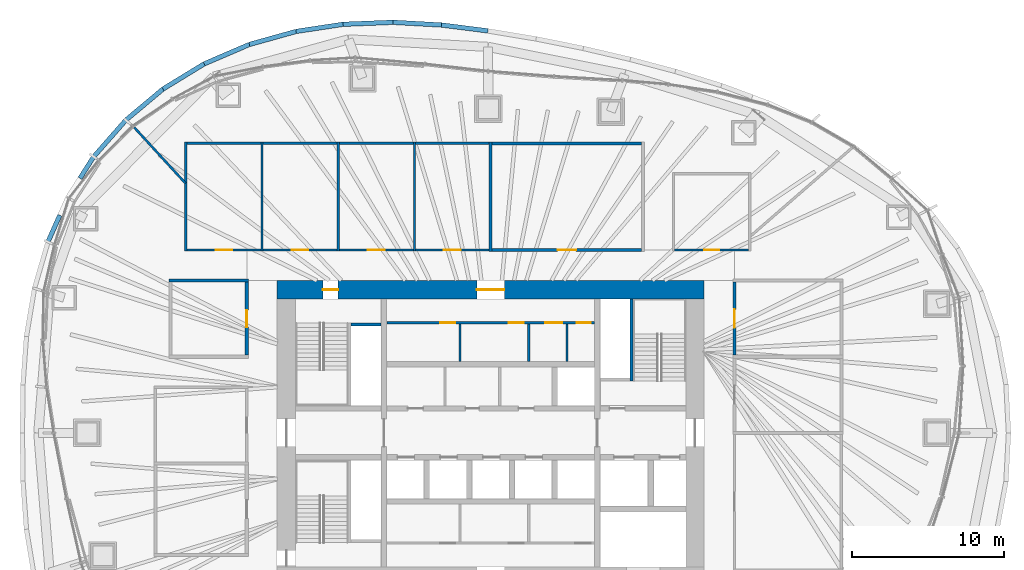
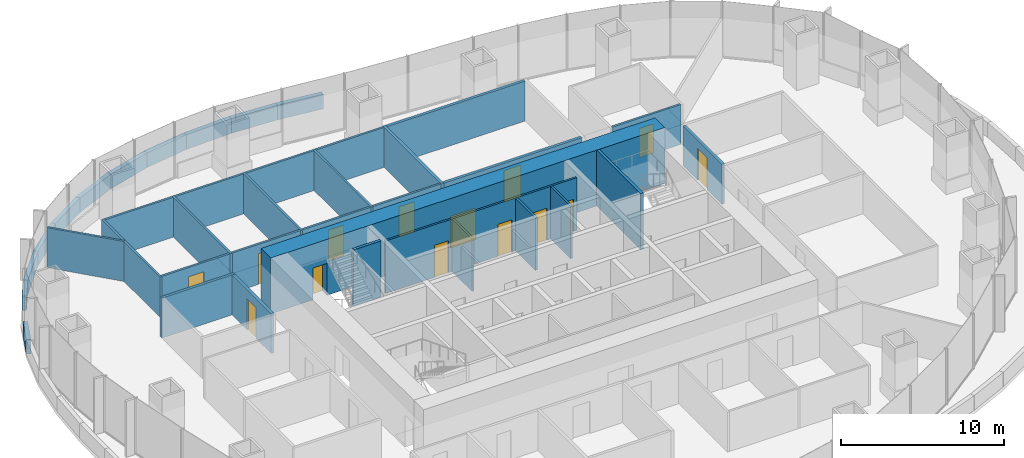
# One storey, part 11 of 20: 38 walls, 14 doors, 14 openings.
"""IFC4 building model written with IfcOpenShell, lengths in metres."""

from ifc_helpers import new_model, si_unit, direction, frame, frame_2d, origin, place, context, subcontext, project, spatial, rectangle, extrude, material, layer, layer_set, type_object, element, fill, save


model = new_model("IFC4")

# Units and contexts
model_context = context("Model", 3, precision=1e-05, world=origin(), true_north=direction((0.0, 1.0)))
body_context = subcontext(model_context, "Body", "Model", "MODEL_VIEW")
ifc_project = project(units=[si_unit("LENGTHUNIT", "METRE"), si_unit("AREAUNIT", "SQUARE_METRE"), si_unit("VOLUMEUNIT", "CUBIC_METRE"), si_unit("PLANEANGLEUNIT", "RADIAN"), si_unit("MASSUNIT", "GRAM", prefix="KILO")], contexts=[model_context])

# Site, building, storey
site_placement = place(None, origin())
site = spatial("IfcSite", under=ifc_project, at=site_placement, CompositionType="ELEMENT")
building_placement = place(site_placement, origin())
building = spatial("IfcBuilding", under=site, at=building_placement, Name="Ghaith Harvest Tower", CompositionType="ELEMENT")
storey_placement = place(building_placement, frame((0.0, 0.0, 105.0)))
storey = spatial("IfcBuildingStorey", under=building, at=storey_placement, Name="L21", CompositionType="ELEMENT", Elevation=105.0)

# Wall
ifc_material_1 = material(Name="Twin-stud gypsum board, acoustic", Category="gypsum")
ifc_layer_1 = layer(ifc_material_1, 0.199951171875)
ifc_layer_set_1 = layer_set([ifc_layer_1], Name="ACOUSTIC PARTITION 200")
wall_type_1 = type_object("IfcWallType", Name="ACOUSTIC PARTITION 200", PredefinedType="PARTITIONING", material=ifc_layer_set_1)
wall_1_placement = place(storey_placement, frame((0.0, 11.89990234375, 0.0), z_axis=(0.0, 0.0, 1.0), x_axis=(0.0, 1.0, 0.0)))
element("IfcWall", 1, at=wall_1_placement, inside=storey, type_object=wall_type_1, Name="Partition L21 row N1 cross wall 5", PredefinedType="PARTITIONING", context=body_context, shape_type="SweptSolid", body=[
    extrude(rectangle(XDim=7.2001953125, YDim=0.199951171875, at=frame_2d((3.60009765625, 0.0))), origin(), (0.0, 0.0, 1.0), 3.0),
])

# Wall, opening, door
wall_2_placement = place(storey_placement, frame((0.10009765625, 12.0, 0.0), z_axis=(0.0, 0.0, 1.0), x_axis=(1.0, 0.0, 0.0)))
wall_2 = element("IfcWall", 2, at=wall_2_placement, inside=storey, type_object=wall_type_1, Name="Partition L21-05", PredefinedType="PARTITIONING", context=body_context, shape_type="SweptSolid", body=[
    extrude(rectangle(XDim=9.7998046875, YDim=0.199951171875, at=frame_2d((4.89990234375, 0.0))), origin(), (0.0, 0.0, 1.0), 3.0),
])
opening_1_placement = place(wall_2_placement, frame((4.300048828125, 0.0, 0.0)))
opening_1 = element("IfcOpeningElement", 3, at=opening_1_placement, cuts=wall_2, Name="Opening 21-031", PredefinedType="OPENING", context=body_context, shape_type="SweptSolid", body=[
    extrude(rectangle(XDim=1.199951171875, YDim=2.39990234375, at=frame_2d((0.60009765625, 1.199951171875))), frame((0.0, 0.10986328125, 0.0), z_axis=(0.0, -1.0, 0.0), x_axis=(1.0, 0.0, 0.0)), (0.0, 0.0, 1.0), 0.219970703125),
])
ifc_material_2 = material(Name="Timber door", Category="wood")
door_type_1 = type_object("IfcDoorType", Name="D11 GLAZED 1200x2400", OperationType="SINGLE_SWING_LEFT", PredefinedType="DOOR", material=ifc_material_2)
door_1_placement = place(opening_1_placement, origin())
door_1 = element("IfcDoor", 4, at=door_1_placement, inside=storey, type_object=door_type_1, Name="Boardroom door", OperationType="SINGLE_SWING_LEFT", OverallHeight=2.39990234375, OverallWidth=1.199951171875, PredefinedType="DOOR", context=body_context, shape_type="SweptSolid", body=[
    extrude(rectangle(XDim=1.199951171875, YDim=2.39990234375, at=frame_2d((0.60009765625, 1.199951171875))), frame((0.0, 0.02490234375, 0.0), z_axis=(0.0, -1.0, 0.0), x_axis=(1.0, 0.0, 0.0)), (0.0, 0.0, 1.0), 0.050048828125),
])
fill(opening_1, door_1)

# Wall
wall_3_placement = place(storey_placement, frame((0.10009765625, 19.0, 0.0), z_axis=(0.0, 0.0, 1.0), x_axis=(1.0, 0.0, 0.0)))
element("IfcWall", 5, at=wall_3_placement, inside=storey, type_object=wall_type_1, Name="Partition L21-05", PredefinedType="PARTITIONING", context=body_context, shape_type="SweptSolid", body=[
    extrude(rectangle(XDim=9.7998046875, YDim=0.199951171875, at=frame_2d((4.89990234375, 0.0))), origin(), (0.0, 0.0, 1.0), 3.0),
])

# Wall, opening, door
wall_4_placement = place(storey_placement, frame((16.0, 5.10009765625, 0.0), z_axis=(0.0, 0.0, 1.0), x_axis=(0.0, 1.0, 0.0)))
wall_4 = element("IfcWall", 6, at=wall_4_placement, inside=storey, type_object=wall_type_1, Name="Partition L21-09", PredefinedType="PARTITIONING", context=body_context, shape_type="SweptSolid", body=[
    extrude(rectangle(XDim=4.7998046875, YDim=0.199951171875, at=frame_2d((2.39990234375, 0.0))), origin(), (0.0, 0.0, 1.0), 3.0),
])
opening_2_placement = place(wall_4_placement, frame((1.800048828125, 0.0, 0.0)))
opening_2 = element("IfcOpeningElement", 7, at=opening_2_placement, cuts=wall_4, Name="Opening 21-035", PredefinedType="OPENING", context=body_context, shape_type="SweptSolid", body=[
    extrude(rectangle(XDim=1.199951171875, YDim=2.39990234375, at=frame_2d((0.60009765625, 1.199951171875))), frame((0.0, 0.10986328125, 0.0), z_axis=(0.0, -1.0, 0.0), x_axis=(1.0, 0.0, 0.0)), (0.0, 0.0, 1.0), 0.219970703125),
])
door_2_placement = place(opening_2_placement, origin())
door_2 = element("IfcDoor", 8, at=door_2_placement, inside=storey, type_object=door_type_1, Name="Meeting room door", OperationType="SINGLE_SWING_LEFT", OverallHeight=2.39990234375, OverallWidth=1.199951171875, PredefinedType="DOOR", context=body_context, shape_type="SweptSolid", body=[
    extrude(rectangle(XDim=1.199951171875, YDim=2.39990234375, at=frame_2d((0.60009765625, 1.199951171875))), frame((0.0, 0.02490234375, 0.0), z_axis=(0.0, -1.0, 0.0), x_axis=(1.0, 0.0, 0.0)), (0.0, 0.0, 1.0), 0.050048828125),
])
fill(opening_2, door_2)

# Wall
wall_5_placement = place(storey_placement, frame((-15.89990234375, 10.0, 0.0), z_axis=(0.0, 0.0, 1.0), x_axis=(-1.0, 0.0, 0.0)))
element("IfcWall", 9, at=wall_5_placement, inside=storey, type_object=wall_type_1, Name="Partition L21 row W7 cross wall 2", PredefinedType="PARTITIONING", context=body_context, shape_type="SweptSolid", body=[
    extrude(rectangle(XDim=5.2001953125, YDim=0.199951171875, at=frame_2d((2.60009765625, 0.0))), origin(), (0.0, 0.0, 1.0), 3.0),
])

# Wall, opening, door
wall_6_placement = place(storey_placement, frame((-16.0, 5.10009765625, 0.0), z_axis=(0.0, 0.0, 1.0), x_axis=(0.0, 1.0, 0.0)))
wall_6 = element("IfcWall", 10, at=wall_6_placement, inside=storey, type_object=wall_type_1, Name="Partition L21-17", PredefinedType="PARTITIONING", context=body_context, shape_type="SweptSolid", body=[
    extrude(rectangle(XDim=4.7998046875, YDim=0.199951171875, at=frame_2d((2.39990234375, 0.0))), origin(), (0.0, 0.0, 1.0), 3.0),
])
opening_3_placement = place(wall_6_placement, frame((1.85009765625, 0.0, 0.0)))
opening_3 = element("IfcOpeningElement", 11, at=opening_3_placement, cuts=wall_6, Name="Opening 21-043", PredefinedType="OPENING", context=body_context, shape_type="SweptSolid", body=[
    extrude(rectangle(XDim=1.10009765625, YDim=2.300048828125, at=frame_2d((0.550048828125, 1.14990234375))), frame((0.0, 0.10986328125, 0.0), z_axis=(0.0, -1.0, 0.0), x_axis=(1.0, 0.0, 0.0)), (0.0, 0.0, 1.0), 0.219970703125),
])
ifc_material_3 = material(Name="Timber-framed glazed door", Category="wood")
door_type_2 = type_object("IfcDoorType", Name="D12 GLAZED OFFICE 1100x2300", OperationType="SINGLE_SWING_LEFT", PredefinedType="DOOR", material=ifc_material_3)
door_3_placement = place(opening_3_placement, origin())
door_3 = element("IfcDoor", 12, at=door_3_placement, inside=storey, type_object=door_type_2, Name="Quiet room door", OperationType="SINGLE_SWING_LEFT", OverallHeight=2.300048828125, OverallWidth=1.10009765625, PredefinedType="DOOR", context=body_context, shape_type="SweptSolid", body=[
    extrude(rectangle(XDim=1.10009765625, YDim=2.300048828125, at=frame_2d((0.550048828125, 1.14990234375))), frame((0.0, 0.02490234375, 0.0), z_axis=(0.0, -1.0, 0.0), x_axis=(1.0, 0.0, 0.0)), (0.0, 0.0, 1.0), 0.050048828125),
])
fill(opening_3, door_3)

# Wall, openings, doors
ifc_material_4 = material(Name="Concrete blockwork, fair-faced", Category="masonry")
ifc_layer_2 = layer(ifc_material_4, 0.139892578125)
ifc_layer_set_2 = layer_set([ifc_layer_2], Name="CORE PARTITION 140")
wall_type_2 = type_object("IfcWallType", Name="CORE PARTITION 140", PredefinedType="PARTITIONING", material=ifc_layer_set_2)
wall_7_placement = place(storey_placement, frame((-6.800048828125, 7.22998046875, 0.0), z_axis=(0.0, 0.0, 1.0), x_axis=(1.0, 0.0, 0.0)))
wall_7 = element("IfcWall", 13, at=wall_7_placement, inside=storey, type_object=wall_type_2, Name="Core partition L21", PredefinedType="PARTITIONING", context=body_context, shape_type="SweptSolid", body=[
    extrude(rectangle(XDim=13.60009765625, YDim=0.139892578125, at=frame_2d((6.800048828125, 0.0))), origin(), (0.0, 0.0, 1.0), 3.949951171875),
])
opening_4_placement = place(wall_7_placement, frame((3.47998046875, 0.0, 0.0)))
opening_4 = element("IfcOpeningElement", 14, at=opening_4_placement, cuts=wall_7, Name="Opening 21-008", PredefinedType="OPENING", context=body_context, shape_type="SweptSolid", body=[
    extrude(rectangle(XDim=1.0, YDim=2.39990234375, at=frame_2d((0.5, 1.199951171875))), frame((0.0, 0.080078125, 0.0), z_axis=(0.0, -1.0, 0.0), x_axis=(1.0, 0.0, 0.0)), (0.0, 0.0, 1.0), 0.159912109375),
])
opening_5_placement = place(wall_7_placement, frame((7.97998046875, 0.0, 0.0)))
opening_5 = element("IfcOpeningElement", 15, at=opening_5_placement, cuts=wall_7, Name="Opening 21-009", PredefinedType="OPENING", context=body_context, shape_type="SweptSolid", body=[
    extrude(rectangle(XDim=1.0, YDim=2.39990234375, at=frame_2d((0.5, 1.199951171875))), frame((0.0, 0.080078125, 0.0), z_axis=(0.0, -1.0, 0.0), x_axis=(1.0, 0.0, 0.0)), (0.0, 0.0, 1.0), 0.159912109375),
])
opening_6_placement = place(wall_7_placement, frame((10.3798828125, 0.0, 0.0)))
opening_6 = element("IfcOpeningElement", 16, at=opening_6_placement, cuts=wall_7, Name="Opening 21-010", PredefinedType="OPENING", context=body_context, shape_type="SweptSolid", body=[
    extrude(rectangle(XDim=1.10009765625, YDim=2.39990234375, at=frame_2d((0.550048828125, 1.199951171875))), frame((0.0, 0.080078125, 0.0), z_axis=(0.0, -1.0, 0.0), x_axis=(1.0, 0.0, 0.0)), (0.0, 0.0, 1.0), 0.159912109375),
])
opening_7_placement = place(wall_7_placement, frame((12.449951171875, 0.0, 0.0)))
opening_7 = element("IfcOpeningElement", 17, at=opening_7_placement, cuts=wall_7, Name="Opening 21-011", PredefinedType="OPENING", context=body_context, shape_type="SweptSolid", body=[
    extrude(rectangle(XDim=0.89990234375, YDim=2.39990234375, at=frame_2d((0.449951171875, 1.199951171875))), frame((0.0, 0.080078125, 0.0), z_axis=(0.0, -1.0, 0.0), x_axis=(1.0, 0.0, 0.0)), (0.0, 0.0, 1.0), 0.159912109375),
])
ifc_material_5 = material(Name="Steel fire door", Category="steel")
door_type_3 = type_object("IfcDoorType", Name="D3 FD90 1000x2400", OperationType="SINGLE_SWING_LEFT", PredefinedType="DOOR", material=ifc_material_5)
door_4_placement = place(opening_4_placement, origin())
door_4 = element("IfcDoor", 18, at=door_4_placement, inside=storey, type_object=door_type_3, Name="Male WC door", OperationType="SINGLE_SWING_LEFT", OverallHeight=2.39990234375, OverallWidth=1.0, PredefinedType="DOOR", context=body_context, shape_type="SweptSolid", body=[
    extrude(rectangle(XDim=1.0, YDim=2.39990234375, at=frame_2d((0.5, 1.199951171875))), frame((0.0, 0.02490234375, 0.0), z_axis=(0.0, -1.0, 0.0), x_axis=(1.0, 0.0, 0.0)), (0.0, 0.0, 1.0), 0.050048828125),
])
fill(opening_4, door_4)
door_5_placement = place(opening_5_placement, origin())
door_5 = element("IfcDoor", 19, at=door_5_placement, inside=storey, type_object=door_type_3, Name="Female WC door", OperationType="SINGLE_SWING_RIGHT", OverallHeight=2.39990234375, OverallWidth=1.0, PredefinedType="DOOR", context=body_context, shape_type="SweptSolid", body=[
    extrude(rectangle(XDim=1.0, YDim=2.39990234375, at=frame_2d((0.5, 1.199951171875))), frame((0.0, 0.02490234375, 0.0), z_axis=(0.0, -1.0, 0.0), x_axis=(1.0, 0.0, 0.0)), (0.0, 0.0, 1.0), 0.050048828125),
])
fill(opening_5, door_5)
ifc_material_6 = material(Name="Steel fire door", Category="steel")
door_type_4 = type_object("IfcDoorType", Name="D5 FD90 900x2400", OperationType="SINGLE_SWING_LEFT", PredefinedType="DOOR", material=ifc_material_6)
door_6_placement = place(opening_7_placement, origin())
door_6 = element("IfcDoor", 20, at=door_6_placement, inside=storey, type_object=door_type_4, Name="Cleaner's store door", OperationType="SINGLE_SWING_RIGHT", OverallHeight=2.39990234375, OverallWidth=0.89990234375, PredefinedType="DOOR", context=body_context, shape_type="SweptSolid", body=[
    extrude(rectangle(XDim=0.89990234375, YDim=2.39990234375, at=frame_2d((0.449951171875, 1.199951171875))), frame((0.0, 0.02490234375, 0.0), z_axis=(0.0, -1.0, 0.0), x_axis=(1.0, 0.0, 0.0)), (0.0, 0.0, 1.0), 0.050048828125),
])
fill(opening_7, door_6)
ifc_material_7 = material(Name="Steel fire door", Category="steel")
door_type_5 = type_object("IfcDoorType", Name="D9 FD90 1100x2400", OperationType="SINGLE_SWING_LEFT", PredefinedType="DOOR", material=ifc_material_7)
door_7_placement = place(opening_6_placement, origin())
door_7 = element("IfcDoor", 21, at=door_7_placement, inside=storey, type_object=door_type_5, Name="Accessible WC door", OperationType="SINGLE_SWING_RIGHT", OverallHeight=2.39990234375, OverallWidth=1.10009765625, PredefinedType="DOOR", context=body_context, shape_type="SweptSolid", body=[
    extrude(rectangle(XDim=1.10009765625, YDim=2.39990234375, at=frame_2d((0.550048828125, 1.199951171875))), frame((0.0, 0.02490234375, 0.0), z_axis=(0.0, -1.0, 0.0), x_axis=(1.0, 0.0, 0.0)), (0.0, 0.0, 1.0), 0.050048828125),
])
fill(opening_6, door_7)

# Walls
for number, where, z_axis, x_axis, name in (
    (22, (-2.0, 4.699951171875, 0.0), (0.0, 0.0, 1.0), (0.0, 1.0, 0.0), "Core partition L21"),
    (23, (2.5, 4.699951171875, 0.0), (0.0, 0.0, 1.0), (0.0, 1.0, 0.0), "Core partition L21"),
    (24, (5.0, 4.699951171875, 0.0), (0.0, 0.0, 1.0), (0.0, 1.0, 0.0), "Core partition L21"),
):
    element("IfcWall", number, at=place(storey_placement, frame(where, z_axis=z_axis, x_axis=x_axis)), inside=storey, type_object=wall_type_2, Name=name, PredefinedType="PARTITIONING", context=body_context, shape_type="SweptSolid", body=[
        extrude(rectangle(XDim=2.4599609375, YDim=0.139892578125, at=frame_2d((1.22998046875, 0.0))), origin(), (0.0, 0.0, 1.0), 3.949951171875),
    ])

# Wall, openings, doors
ifc_material_8 = material(Name="Concrete C60/75", Category="concrete")
ifc_layer_3 = layer(ifc_material_8, 1.199951171875)
ifc_layer_set_3 = layer_set([ifc_layer_3], Name="CORE WALL CW1200 C60")
wall_type_3 = type_object("IfcWallType", Name="CORE WALL CW1200 C60", PredefinedType="SHEAR", material=ifc_layer_set_3)
wall_8_placement = place(storey_placement, frame((14.0, 9.39990234375, 0.0), z_axis=(0.0, 0.0, 1.0), x_axis=(-1.0, 0.0, 0.0)))
wall_8 = element("IfcWall", 25, at=wall_8_placement, inside=storey, type_object=wall_type_3, Name="Core wall N L21", PredefinedType="SHEAR", context=body_context, shape_type="SweptSolid", body=[
    extrude(rectangle(XDim=28.0, YDim=1.199951171875, at=frame_2d((14.0, 0.0))), origin(), (0.0, 0.0, 1.0), 4.199951171875),
])
opening_8_placement = place(wall_8_placement, frame((24.0, 0.0, 0.0)))
opening_8 = element("IfcOpeningElement", 26, at=opening_8_placement, cuts=wall_8, Name="Opening 21-005", PredefinedType="OPENING", context=body_context, shape_type="SweptSolid", body=[
    extrude(rectangle(XDim=1.0, YDim=2.39990234375, at=frame_2d((0.5, 1.199951171875))), frame((0.0, 0.60986328125, 0.0), z_axis=(0.0, -1.0, 0.0), x_axis=(1.0, 0.0, 0.0)), (0.0, 0.0, 1.0), 1.219970703125),
])
opening_9_placement = place(wall_8_placement, frame((13.10009765625, 0.0, 0.0)))
opening_9 = element("IfcOpeningElement", 27, at=opening_9_placement, cuts=wall_8, Name="Opening 21-018", PredefinedType="OPENING", context=body_context, shape_type="SweptSolid", body=[
    extrude(rectangle(XDim=1.800048828125, YDim=2.39990234375, at=frame_2d((0.89990234375, 1.199951171875))), frame((0.0, 0.60986328125, 0.0), z_axis=(0.0, -1.0, 0.0), x_axis=(1.0, 0.0, 0.0)), (0.0, 0.0, 1.0), 1.219970703125),
])
door_8_placement = place(opening_8_placement, origin())
door_8 = element("IfcDoor", 28, at=door_8_placement, inside=storey, type_object=door_type_3, Name="Stair ST1 door", OperationType="SINGLE_SWING_RIGHT", OverallHeight=2.39990234375, OverallWidth=1.0, PredefinedType="DOOR", context=body_context, shape_type="SweptSolid", body=[
    extrude(rectangle(XDim=1.0, YDim=2.39990234375, at=frame_2d((0.5, 1.199951171875))), frame((0.0, 0.02490234375, 0.0), z_axis=(0.0, -1.0, 0.0), x_axis=(1.0, 0.0, 0.0)), (0.0, 0.0, 1.0), 0.050048828125),
])
fill(opening_8, door_8)
ifc_material_9 = material(Name="Steel fire door", Category="steel")
door_type_6 = type_object("IfcDoorType", Name="D4 FD90 PAIR 1800x2400", OperationType="DOUBLE_DOOR_SINGLE_SWING", PredefinedType="DOOR", material=ifc_material_9)
door_9_placement = place(opening_9_placement, origin())
door_9 = element("IfcDoor", 29, at=door_9_placement, inside=storey, type_object=door_type_6, Name="Core service corridor doors", OperationType="DOUBLE_DOOR_SINGLE_SWING", OverallHeight=2.39990234375, OverallWidth=1.800048828125, PredefinedType="DOOR", context=body_context, shape_type="SweptSolid", body=[
    extrude(rectangle(XDim=1.800048828125, YDim=2.39990234375, at=frame_2d((0.89990234375, 1.199951171875))), frame((0.0, 0.02490234375, 0.0), z_axis=(0.0, -1.0, 0.0), x_axis=(1.0, 0.0, 0.0)), (0.0, 0.0, 1.0), 0.050048828125),
])
fill(opening_9, door_9)

# Walls
ifc_material_10 = material(Name="Concrete C40/50", Category="concrete")
ifc_layer_4 = layer(ifc_material_10, 0.300048828125)
ifc_layer_set_4 = layer_set([ifc_layer_4], Name="PARAPET 300")
wall_type_4 = type_object("IfcWallType", Name="PARAPET 300", PredefinedType="PARAPET", material=ifc_layer_set_4)
wall_9_placement = place(storey_placement, frame((-0.180419921875, 26.377197265625, 0.0), z_axis=(0.0, 0.0, 1.0), x_axis=(-0.992141622013, 0.12511994993, 0.0)))
element("IfcWall", 30, at=wall_9_placement, inside=storey, type_object=wall_type_4, Name="Parapet 06.1 L21", PredefinedType="PARAPET", context=body_context, shape_type="SweptSolid", body=[
    extrude(rectangle(XDim=3.0732421875, YDim=0.300048828125, at=frame_2d((1.53662109375, 0.0))), origin(), (0.0, 0.0, 1.0), 1.10009765625),
])
wall_10_placement = place(storey_placement, frame((-3.2294921875, 26.76171875, 0.0), z_axis=(0.0, 0.0, 1.0), x_axis=(-0.998439483917, 0.055844399508, 0.0)))
element("IfcWall", 31, at=wall_10_placement, inside=storey, type_object=wall_type_4, Name="Parapet 06.2 L21", PredefinedType="PARAPET", context=body_context, shape_type="SweptSolid", body=[
    extrude(rectangle(XDim=3.17822265625, YDim=0.300048828125, at=frame_2d((1.589111328125, 0.0))), origin(), (0.0, 0.0, 1.0), 1.10009765625),
])
wall_11_placement = place(storey_placement, frame((-6.40283203125, 26.939208984375, 0.0), z_axis=(0.0, 0.0, 1.0), x_axis=(-0.999210908171, -0.039718522031, 0.0)))
element("IfcWall", 32, at=wall_11_placement, inside=storey, type_object=wall_type_4, Name="Parapet 06.3 L21", PredefinedType="PARAPET", context=body_context, shape_type="SweptSolid", body=[
    extrude(rectangle(XDim=3.282470703125, YDim=0.300048828125, at=frame_2d((1.64111328125, 0.0))), origin(), (0.0, 0.0, 1.0), 1.10009765625),
])
wall_12_placement = place(storey_placement, frame((-9.6826171875, 26.808837890625, 0.0), z_axis=(0.0, 0.0, 1.0), x_axis=(-0.988698262217, -0.1499191325, 0.0)))
element("IfcWall", 33, at=wall_12_placement, inside=storey, type_object=wall_type_4, Name="Parapet 07.1 L21", PredefinedType="PARAPET", context=body_context, shape_type="SweptSolid", body=[
    extrude(rectangle(XDim=3.115234375, YDim=0.300048828125, at=frame_2d((1.5576171875, 0.0))), origin(), (0.0, 0.0, 1.0), 1.10009765625),
])
wall_13_placement = place(storey_placement, frame((-12.7626953125, 26.341796875, 0.0), z_axis=(0.0, 0.0, 1.0), x_axis=(-0.963292299326, -0.26845473745, 0.0)))
element("IfcWall", 34, at=wall_13_placement, inside=storey, type_object=wall_type_4, Name="Parapet 07.2 L21", PredefinedType="PARAPET", context=body_context, shape_type="SweptSolid", body=[
    extrude(rectangle(XDim=3.18310546875, YDim=0.300048828125, at=frame_2d((1.591552734375, 0.0))), origin(), (0.0, 0.0, 1.0), 1.10009765625),
])
wall_14_placement = place(storey_placement, frame((-15.828857421875, 25.4873046875, 0.0), z_axis=(0.0, 0.0, 1.0), x_axis=(-0.91866042568, -0.395048126549, 0.0)))
element("IfcWall", 35, at=wall_14_placement, inside=storey, type_object=wall_type_4, Name="Parapet 07.3 L21", PredefinedType="PARAPET", context=body_context, shape_type="SweptSolid", body=[
    extrude(rectangle(XDim=3.23583984375, YDim=0.300048828125, at=frame_2d((1.617919921875, 0.0))), origin(), (0.0, 0.0, 1.0), 1.10009765625),
])
wall_15_placement = place(storey_placement, frame((-18.801513671875, 24.208984375, 0.0), z_axis=(0.0, 0.0, 1.0), x_axis=(-0.853268453742, -0.52147190322, 0.0)))
element("IfcWall", 36, at=wall_15_placement, inside=storey, type_object=wall_type_4, Name="Parapet 08.1 L21", PredefinedType="PARAPET", context=body_context, shape_type="SweptSolid", body=[
    extrude(rectangle(XDim=3.157470703125, YDim=0.300048828125, at=frame_2d((1.57861328125, 0.0))), origin(), (0.0, 0.0, 1.0), 1.10009765625),
])
wall_16_placement = place(storey_placement, frame((-21.49560546875, 22.5625, 0.0), z_axis=(0.0, 0.0, 1.0), x_axis=(-0.766784908823, -0.641904123372, 0.0)))
element("IfcWall", 37, at=wall_16_placement, inside=storey, type_object=wall_type_4, Name="Parapet 08.2 L21", PredefinedType="PARAPET", context=body_context, shape_type="SweptSolid", body=[
    extrude(rectangle(XDim=3.1806640625, YDim=0.300048828125, at=frame_2d((1.59033203125, 0.0))), origin(), (0.0, 0.0, 1.0), 1.10009765625),
])
wall_17_placement = place(storey_placement, frame((-23.9345703125, 20.520751953125, 0.0), z_axis=(0.0, 0.0, 1.0), x_axis=(-0.659596939988, -0.751619502647, 0.0)))
element("IfcWall", 38, at=wall_17_placement, inside=storey, type_object=wall_type_4, Name="Parapet 08.3 L21", PredefinedType="PARAPET", context=body_context, shape_type="SweptSolid", body=[
    extrude(rectangle(XDim=3.1943359375, YDim=0.300048828125, at=frame_2d((1.59716796875, 0.0))), origin(), (0.0, 0.0, 1.0), 1.10009765625),
])
wall_18_placement = place(storey_placement, frame((-26.04150390625, 18.119873046875, 0.0), z_axis=(0.0, 0.0, 1.0), x_axis=(-0.536819026051, -0.843697418077, 0.0)))
element("IfcWall", 39, at=wall_18_placement, inside=storey, type_object=wall_type_4, Name="Parapet 09.1 L21", PredefinedType="PARAPET", context=body_context, shape_type="SweptSolid", body=[
    extrude(rectangle(XDim=1.6787109375, YDim=0.300048828125, at=frame_2d((0.83935546875, 0.0))), origin(), (0.0, 0.0, 1.0), 1.10009765625),
])
wall_19_placement = place(storey_placement, frame((-28.264404296875, 14.2802734375, 0.0), z_axis=(0.0, 0.0, 1.0), x_axis=(-0.406740781751, -0.913543614975, 0.0)))
element("IfcWall", 40, at=wall_19_placement, inside=storey, type_object=wall_type_4, Name="Parapet 09.2 L21", PredefinedType="PARAPET", context=body_context, shape_type="SweptSolid", body=[
    extrude(rectangle(XDim=1.917724609375, YDim=0.300048828125, at=frame_2d((0.958984375, 0.0))), origin(), (0.0, 0.0, 1.0), 1.10009765625),
])
ifc_material_11 = material(Name="Gypsum board on steel studs", Category="steel")
ifc_layer_5 = layer(ifc_material_11, 0.14990234375)
ifc_layer_set_5 = layer_set([ifc_layer_5], Name="PARTITION 150")
wall_type_5 = type_object("IfcWallType", Name="PARTITION 150", PredefinedType="PARTITIONING", material=ifc_layer_set_5)
for number, where, z_axis, x_axis, name in (
    (41, (-20.0, 11.925048828125, 0.0), (0.0, 0.0, 1.0), (0.0, 1.0, 0.0), "Partition L21 row N1 cross wall 1"),
    (42, (-15.0, 11.925048828125, 0.0), (0.0, 0.0, 1.0), (0.0, 1.0, 0.0), "Partition L21 row N1 cross wall 2"),
    (43, (-10.0, 11.925048828125, 0.0), (0.0, 0.0, 1.0), (0.0, 1.0, 0.0), "Partition L21 row N1 cross wall 3"),
    (44, (-5.0, 11.925048828125, 0.0), (0.0, 0.0, 1.0), (0.0, 1.0, 0.0), "Partition L21 row N1 cross wall 4"),
):
    element("IfcWall", number, at=place(storey_placement, frame(where, z_axis=z_axis, x_axis=x_axis)), inside=storey, type_object=wall_type_5, Name=name, PredefinedType="PARTITIONING", context=body_context, shape_type="SweptSolid", body=[
        extrude(rectangle(XDim=7.14990234375, YDim=0.14990234375, at=frame_2d((3.574951171875, 0.0))), origin(), (0.0, 0.0, 1.0), 3.0),
    ])

# Wall, opening, door
wall_20_placement = place(storey_placement, frame((-19.925048828125, 12.0, 0.0), z_axis=(0.0, 0.0, 1.0), x_axis=(1.0, 0.0, 0.0)))
wall_20 = element("IfcWall", 45, at=wall_20_placement, inside=storey, type_object=wall_type_5, Name="Partition L21-01", PredefinedType="PARTITIONING", context=body_context, shape_type="SweptSolid", body=[
    extrude(rectangle(XDim=4.85009765625, YDim=0.14990234375, at=frame_2d((2.425048828125, 0.0))), origin(), (0.0, 0.0, 1.0), 3.0),
])
opening_10_placement = place(wall_20_placement, frame((1.875, 0.0, 0.0)))
opening_10 = element("IfcOpeningElement", 46, at=opening_10_placement, cuts=wall_20, Name="Opening 21-027", PredefinedType="OPENING", context=body_context, shape_type="SweptSolid", body=[
    extrude(rectangle(XDim=1.10009765625, YDim=2.300048828125, at=frame_2d((0.550048828125, 1.14990234375))), frame((0.0, 0.0849609375, 0.0), z_axis=(0.0, -1.0, 0.0), x_axis=(1.0, 0.0, 0.0)), (0.0, 0.0, 1.0), 0.169921875),
])
door_10_placement = place(opening_10_placement, origin())
door_10 = element("IfcDoor", 47, at=door_10_placement, inside=storey, type_object=door_type_2, Name="Executive office door", OperationType="SINGLE_SWING_LEFT", OverallHeight=2.300048828125, OverallWidth=1.10009765625, PredefinedType="DOOR", context=body_context, shape_type="SweptSolid", body=[
    extrude(rectangle(XDim=1.10009765625, YDim=2.300048828125, at=frame_2d((0.550048828125, 1.14990234375))), frame((0.0, 0.02490234375, 0.0), z_axis=(0.0, -1.0, 0.0), x_axis=(1.0, 0.0, 0.0)), (0.0, 0.0, 1.0), 0.050048828125),
])
fill(opening_10, door_10)

# Wall
wall_21_placement = place(storey_placement, frame((-19.925048828125, 19.0, 0.0), z_axis=(0.0, 0.0, 1.0), x_axis=(1.0, 0.0, 0.0)))
element("IfcWall", 48, at=wall_21_placement, inside=storey, type_object=wall_type_5, Name="Partition L21-01", PredefinedType="PARTITIONING", context=body_context, shape_type="SweptSolid", body=[
    extrude(rectangle(XDim=4.85009765625, YDim=0.14990234375, at=frame_2d((2.425048828125, 0.0))), origin(), (0.0, 0.0, 1.0), 3.0),
])

# Wall, opening, door
wall_22_placement = place(storey_placement, frame((-14.925048828125, 12.0, 0.0), z_axis=(0.0, 0.0, 1.0), x_axis=(1.0, 0.0, 0.0)))
wall_22 = element("IfcWall", 49, at=wall_22_placement, inside=storey, type_object=wall_type_5, Name="Partition L21-02", PredefinedType="PARTITIONING", context=body_context, shape_type="SweptSolid", body=[
    extrude(rectangle(XDim=4.85009765625, YDim=0.14990234375, at=frame_2d((2.425048828125, 0.0))), origin(), (0.0, 0.0, 1.0), 3.0),
])
opening_11_placement = place(wall_22_placement, frame((1.875, 0.0, 0.0)))
opening_11 = element("IfcOpeningElement", 50, at=opening_11_placement, cuts=wall_22, Name="Opening 21-028", PredefinedType="OPENING", context=body_context, shape_type="SweptSolid", body=[
    extrude(rectangle(XDim=1.10009765625, YDim=2.300048828125, at=frame_2d((0.550048828125, 1.14990234375))), frame((0.0, 0.0849609375, 0.0), z_axis=(0.0, -1.0, 0.0), x_axis=(1.0, 0.0, 0.0)), (0.0, 0.0, 1.0), 0.169921875),
])
door_11_placement = place(opening_11_placement, origin())
door_11 = element("IfcDoor", 51, at=door_11_placement, inside=storey, type_object=door_type_2, Name="Executive office door", OperationType="SINGLE_SWING_LEFT", OverallHeight=2.300048828125, OverallWidth=1.10009765625, PredefinedType="DOOR", context=body_context, shape_type="SweptSolid", body=[
    extrude(rectangle(XDim=1.10009765625, YDim=2.300048828125, at=frame_2d((0.550048828125, 1.14990234375))), frame((0.0, 0.02490234375, 0.0), z_axis=(0.0, -1.0, 0.0), x_axis=(1.0, 0.0, 0.0)), (0.0, 0.0, 1.0), 0.050048828125),
])
fill(opening_11, door_11)

# Wall
wall_23_placement = place(storey_placement, frame((-14.925048828125, 19.0, 0.0), z_axis=(0.0, 0.0, 1.0), x_axis=(1.0, 0.0, 0.0)))
element("IfcWall", 52, at=wall_23_placement, inside=storey, type_object=wall_type_5, Name="Partition L21-02", PredefinedType="PARTITIONING", context=body_context, shape_type="SweptSolid", body=[
    extrude(rectangle(XDim=4.85009765625, YDim=0.14990234375, at=frame_2d((2.425048828125, 0.0))), origin(), (0.0, 0.0, 1.0), 3.0),
])

# Wall, opening, door
wall_24_placement = place(storey_placement, frame((-9.925048828125, 12.0, 0.0), z_axis=(0.0, 0.0, 1.0), x_axis=(1.0, 0.0, 0.0)))
wall_24 = element("IfcWall", 53, at=wall_24_placement, inside=storey, type_object=wall_type_5, Name="Partition L21-03", PredefinedType="PARTITIONING", context=body_context, shape_type="SweptSolid", body=[
    extrude(rectangle(XDim=4.85009765625, YDim=0.14990234375, at=frame_2d((2.425048828125, 0.0))), origin(), (0.0, 0.0, 1.0), 3.0),
])
opening_12_placement = place(wall_24_placement, frame((1.875, 0.0, 0.0)))
opening_12 = element("IfcOpeningElement", 54, at=opening_12_placement, cuts=wall_24, Name="Opening 21-029", PredefinedType="OPENING", context=body_context, shape_type="SweptSolid", body=[
    extrude(rectangle(XDim=1.10009765625, YDim=2.300048828125, at=frame_2d((0.550048828125, 1.14990234375))), frame((0.0, 0.0849609375, 0.0), z_axis=(0.0, -1.0, 0.0), x_axis=(1.0, 0.0, 0.0)), (0.0, 0.0, 1.0), 0.169921875),
])
door_12_placement = place(opening_12_placement, origin())
door_12 = element("IfcDoor", 55, at=door_12_placement, inside=storey, type_object=door_type_2, Name="Executive office door", OperationType="SINGLE_SWING_LEFT", OverallHeight=2.300048828125, OverallWidth=1.10009765625, PredefinedType="DOOR", context=body_context, shape_type="SweptSolid", body=[
    extrude(rectangle(XDim=1.10009765625, YDim=2.300048828125, at=frame_2d((0.550048828125, 1.14990234375))), frame((0.0, 0.02490234375, 0.0), z_axis=(0.0, -1.0, 0.0), x_axis=(1.0, 0.0, 0.0)), (0.0, 0.0, 1.0), 0.050048828125),
])
fill(opening_12, door_12)

# Wall
wall_25_placement = place(storey_placement, frame((-9.925048828125, 19.0, 0.0), z_axis=(0.0, 0.0, 1.0), x_axis=(1.0, 0.0, 0.0)))
element("IfcWall", 56, at=wall_25_placement, inside=storey, type_object=wall_type_5, Name="Partition L21-03", PredefinedType="PARTITIONING", context=body_context, shape_type="SweptSolid", body=[
    extrude(rectangle(XDim=4.85009765625, YDim=0.14990234375, at=frame_2d((2.425048828125, 0.0))), origin(), (0.0, 0.0, 1.0), 3.0),
])

# Wall, opening, door
wall_26_placement = place(storey_placement, frame((-4.925048828125, 12.0, 0.0), z_axis=(0.0, 0.0, 1.0), x_axis=(1.0, 0.0, 0.0)))
wall_26 = element("IfcWall", 57, at=wall_26_placement, inside=storey, type_object=wall_type_5, Name="Partition L21-04", PredefinedType="PARTITIONING", context=body_context, shape_type="SweptSolid", body=[
    extrude(rectangle(XDim=4.824951171875, YDim=0.14990234375, at=frame_2d((2.41259765625, 0.0))), origin(), (0.0, 0.0, 1.0), 3.0),
])
opening_13_placement = place(wall_26_placement, frame((1.862548828125, 0.0, 0.0)))
opening_13 = element("IfcOpeningElement", 58, at=opening_13_placement, cuts=wall_26, Name="Opening 21-030", PredefinedType="OPENING", context=body_context, shape_type="SweptSolid", body=[
    extrude(rectangle(XDim=1.10009765625, YDim=2.300048828125, at=frame_2d((0.550048828125, 1.14990234375))), frame((0.0, 0.0849609375, 0.0), z_axis=(0.0, -1.0, 0.0), x_axis=(1.0, 0.0, 0.0)), (0.0, 0.0, 1.0), 0.169921875),
])
door_13_placement = place(opening_13_placement, origin())
door_13 = element("IfcDoor", 59, at=door_13_placement, inside=storey, type_object=door_type_2, Name="Executive office door", OperationType="SINGLE_SWING_LEFT", OverallHeight=2.300048828125, OverallWidth=1.10009765625, PredefinedType="DOOR", context=body_context, shape_type="SweptSolid", body=[
    extrude(rectangle(XDim=1.10009765625, YDim=2.300048828125, at=frame_2d((0.550048828125, 1.14990234375))), frame((0.0, 0.02490234375, 0.0), z_axis=(0.0, -1.0, 0.0), x_axis=(1.0, 0.0, 0.0)), (0.0, 0.0, 1.0), 0.050048828125),
])
fill(opening_13, door_13)

# Wall
wall_27_placement = place(storey_placement, frame((-4.925048828125, 19.0, 0.0), z_axis=(0.0, 0.0, 1.0), x_axis=(1.0, 0.0, 0.0)))
element("IfcWall", 60, at=wall_27_placement, inside=storey, type_object=wall_type_5, Name="Partition L21-04", PredefinedType="PARTITIONING", context=body_context, shape_type="SweptSolid", body=[
    extrude(rectangle(XDim=4.824951171875, YDim=0.14990234375, at=frame_2d((2.41259765625, 0.0))), origin(), (0.0, 0.0, 1.0), 3.0),
])

# Wall, opening, door
wall_28_placement = place(storey_placement, frame((12.074951171875, 12.0, 0.0), z_axis=(0.0, 0.0, 1.0), x_axis=(1.0, 0.0, 0.0)))
wall_28 = element("IfcWall", 61, at=wall_28_placement, inside=storey, type_object=wall_type_5, Name="Partition L21-06", PredefinedType="PARTITIONING", context=body_context, shape_type="SweptSolid", body=[
    extrude(rectangle(XDim=4.85009765625, YDim=0.14990234375, at=frame_2d((2.425048828125, 0.0))), origin(), (0.0, 0.0, 1.0), 3.0),
])
opening_14_placement = place(wall_28_placement, frame((1.925048828125, 0.0, 0.0)))
opening_14 = element("IfcOpeningElement", 62, at=opening_14_placement, cuts=wall_28, Name="Opening 21-032", PredefinedType="OPENING", context=body_context, shape_type="SweptSolid", body=[
    extrude(rectangle(XDim=1.0, YDim=2.199951171875, at=frame_2d((0.5, 1.10009765625))), frame((0.0, 0.0849609375, 0.0), z_axis=(0.0, -1.0, 0.0), x_axis=(1.0, 0.0, 0.0)), (0.0, 0.0, 1.0), 0.169921875),
])
ifc_material_12 = material(Name="Timber door", Category="wood")
door_type_7 = type_object("IfcDoorType", Name="D1 SINGLE 1000x2200", OperationType="SINGLE_SWING_LEFT", PredefinedType="DOOR", material=ifc_material_12)
door_14_placement = place(opening_14_placement, origin())
door_14 = element("IfcDoor", 63, at=door_14_placement, inside=storey, type_object=door_type_7, Name="Pantry door", OperationType="SINGLE_SWING_LEFT", OverallHeight=2.199951171875, OverallWidth=1.0, PredefinedType="DOOR", context=body_context, shape_type="SweptSolid", body=[
    extrude(rectangle(XDim=1.0, YDim=2.199951171875, at=frame_2d((0.5, 1.10009765625))), frame((0.0, 0.02490234375, 0.0), z_axis=(0.0, -1.0, 0.0), x_axis=(1.0, 0.0, 0.0)), (0.0, 0.0, 1.0), 0.050048828125),
])
fill(opening_14, door_14)

# Walls
wall_29_placement = place(storey_placement, frame((-20.02001953125, 16.380126953125, 0.0), z_axis=(0.0, 0.0, 1.0), x_axis=(-0.676159982548, 0.736754828963, 0.0)))
element("IfcWall", 64, at=wall_29_placement, inside=storey, type_object=wall_type_5, Name="Partition L21 zone division", PredefinedType="PARTITIONING", context=body_context, shape_type="SweptSolid", body=[
    extrude(rectangle(XDim=4.975830078125, YDim=0.14990234375, at=frame_2d((2.48779296875, 0.0))), origin(), (0.0, 0.0, 1.0), 3.0),
])
ifc_material_13 = material(Name="Concrete C40/50", Category="concrete")
ifc_layer_6 = layer(ifc_material_13, 0.199951171875)
ifc_layer_set_6 = layer_set([ifc_layer_6], Name="STAIR SPINE WALL RC200")
wall_type_6 = type_object("IfcWallType", Name="STAIR SPINE WALL RC200", PredefinedType="SOLIDWALL", material=ifc_layer_set_6)
wall_30_placement = place(storey_placement, frame((-9.14990234375, 7.10009765625, 0.0), z_axis=(0.0, 0.0, 1.0), x_axis=(1.0, 0.0, 0.0)))
element("IfcWall", 65, at=wall_30_placement, inside=storey, type_object=wall_type_6, Name="Stair ST1 spine wall return L21", PredefinedType="SOLIDWALL", context=body_context, shape_type="SweptSolid", body=[
    extrude(rectangle(XDim=1.949951171875, YDim=0.199951171875, at=frame_2d((0.97509765625, 0.0))), origin(), (0.0, 0.0, 1.0), 4.199951171875),
])
wall_31_placement = place(storey_placement, frame((9.25, 3.39990234375, 0.0), z_axis=(0.0, 0.0, 1.0), x_axis=(0.0, 1.0, 0.0)))
element("IfcWall", 66, at=wall_31_placement, inside=storey, type_object=wall_type_6, Name="Stair ST2 spine wall L21", PredefinedType="SOLIDWALL", context=body_context, shape_type="SweptSolid", body=[
    extrude(rectangle(XDim=5.400146484375, YDim=0.199951171875, at=frame_2d((2.7001953125, 0.0))), origin(), (0.0, 0.0, 1.0), 4.199951171875),
])

save(model, "model.ifc")
